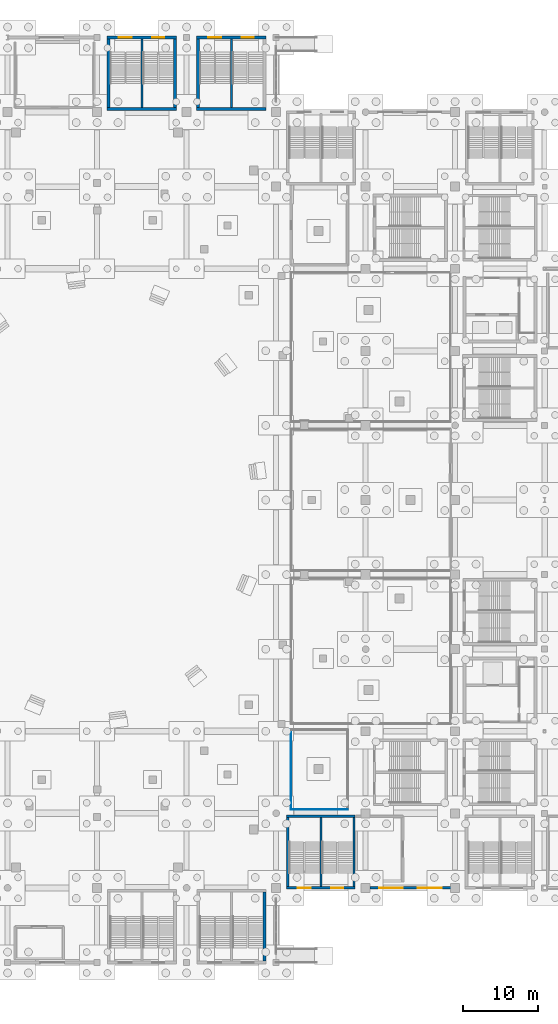
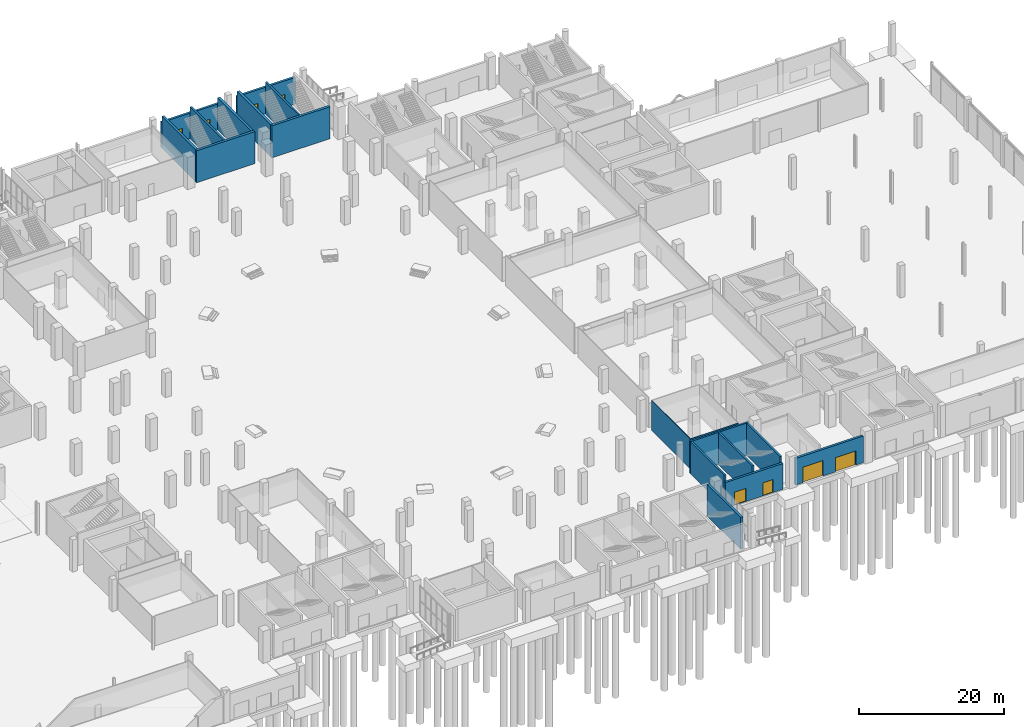
# One storey, part 53 of 70: 18 walls, 8 doors, 8 openings.
"""IFC4 building model written with IfcOpenShell, lengths in metres."""

import ifcopenshell
import ifcopenshell.guid

model = None  # the IFC model being written
_history = None  # IfcOwnerHistory: only IFC2X3 demands one
_inside = {}  # id of a spatial element -> (the spatial element, [elements in it])
_under = {}  # id of a project, library or spatial element -> (it, [spatial elements below it])
_declared = {}  # id of a project -> (the project, [libraries it declares])
_typed = {}  # id of a type object -> (the type object, [elements of that type])
_made_of = {}  # id of a material, layer set ... -> (it, [elements and type objects made of it])


def new_model(schema):
    """Start an empty IFC model of exactly this schema.

    Asked for "IFC4X3", IfcOpenShell would pick the latest addendum, in which some entities
    have other attributes; the version numbers below select the first issue.
    IFC2X3 requires an IfcOwnerHistory on every rooted entity: one is made here for all.
    """
    global model, _history
    if schema == "IFC4X3":
        model = ifcopenshell.file(schema_version=(4, 3, 0, 0))
    else:
        model = ifcopenshell.file(schema=schema)
    _inside.clear()
    _under.clear()
    _declared.clear()
    _typed.clear()
    _made_of.clear()
    _history = None
    if model.schema == "IFC2X3":
        org = make("IfcOrganization", Name="unknown")
        user = make(
            "IfcPersonAndOrganization",
            ThePerson=make("IfcPerson", FamilyName="unknown"),
            TheOrganization=org,
        )
        app = make(
            "IfcApplication",
            ApplicationDeveloper=org,
            Version="unknown",
            ApplicationFullName="unknown",
            ApplicationIdentifier="unknown",
        )
        _history = make(
            "IfcOwnerHistory",
            OwningUser=user,
            OwningApplication=app,
            ChangeAction="ADDED",
            CreationDate=0,
        )
    return model


def make(cls, **values):
    """One entity of the class cls with the attributes given. An attribute that is None is left unset."""
    return model.create_entity(
        cls, **{name: value for name, value in values.items() if value is not None}
    )


def rooted(cls, **values):
    """An entity with a GlobalId (a new one), such as an element, a storey or a relation."""
    return make(cls, GlobalId=ifcopenshell.guid.new(), OwnerHistory=_history, **values)


def si_unit(unit_type, name, prefix=None):
    """IfcSIUnit, for example si_unit("LENGTHUNIT", "METRE", prefix="MILLI")."""
    return make("IfcSIUnit", UnitType=unit_type, Prefix=prefix, Name=name)


def assignment(units):
    """IfcUnitAssignment: the units of a project."""
    return None if units is None else make("IfcUnitAssignment", Units=units)


def point(xyz):
    """IfcCartesianPoint."""
    return None if xyz is None else make("IfcCartesianPoint", Coordinates=xyz)


def direction(xyz):
    """IfcDirection."""
    return None if xyz is None else make("IfcDirection", DirectionRatios=xyz)


def frame(location, z_axis=None, x_axis=None):
    """IfcAxis2Placement3D, a coordinate frame: its origin and axes. An axis left out is left unset."""
    return make(
        "IfcAxis2Placement3D",
        Location=point(location),
        Axis=direction(z_axis),
        RefDirection=direction(x_axis),
    )


def frame_2d(location, x_axis=None):
    """IfcAxis2Placement2D, a coordinate frame in the plane: its origin and x axis."""
    return make(
        "IfcAxis2Placement2D", Location=point(location), RefDirection=direction(x_axis)
    )


def origin():
    """The frame at (0, 0, 0) with its axes left unset."""
    return frame((0.0, 0.0, 0.0))


def place(relative_to, where):
    """IfcLocalPlacement: puts the frame where relative to a parent placement (None: the world)."""
    return make(
        "IfcLocalPlacement", PlacementRelTo=relative_to, RelativePlacement=where
    )


def context(
    kind, dimensions, precision=None, world=None, true_north=None, identifier=None
):
    """IfcGeometricRepresentationContext, for example the 3D "Model" context."""
    return make(
        "IfcGeometricRepresentationContext",
        ContextIdentifier=identifier,
        ContextType=kind,
        CoordinateSpaceDimension=dimensions,
        Precision=precision,
        WorldCoordinateSystem=world,
        TrueNorth=true_north,
    )


def subcontext(parent, identifier, kind, view, scale=None):
    """IfcGeometricRepresentationSubContext, for example "Body" below "Model"."""
    return make(
        "IfcGeometricRepresentationSubContext",
        ContextIdentifier=identifier,
        ContextType=kind,
        ParentContext=parent,
        TargetScale=scale,
        TargetView=view,
    )


def project(units=None, contexts=None):
    """IfcProject with its units and contexts."""
    return rooted(
        "IfcProject",
        Name="project",
        RepresentationContexts=contexts,
        UnitsInContext=assignment(units),
    )


def spatial(cls, under=None, at=None, **own):
    """A site, building, storey or space (cls), placed at a placement, below another one or the project."""
    s = rooted(cls, ObjectPlacement=at, **own)
    if under is not None:
        _under.setdefault(under.id(), (under, []))[1].append(s)
    return s


def profile(cls, at=None, kind="AREA", **sizes):
    """A parametric profile (cls). Its sizes go by their IFC names, for example OverallWidth=200.0."""
    return make(cls, ProfileType=kind, Position=at, **sizes)


def rectangle(**sizes):
    """IfcRectangleProfileDef."""
    return profile("IfcRectangleProfileDef", **sizes)


def extrude(swept, where, along, depth):
    """IfcExtrudedAreaSolid: the profile swept, set in the frame where, extruded along a direction by depth."""
    return make(
        "IfcExtrudedAreaSolid",
        SweptArea=swept,
        Position=where,
        ExtrudedDirection=direction(along),
        Depth=depth,
    )


def shape(context_of_items, identifier, shape_type, items):
    """IfcShapeRepresentation: the items that make up one representation, for example the "Body"."""
    return make(
        "IfcShapeRepresentation",
        ContextOfItems=context_of_items,
        RepresentationIdentifier=identifier,
        RepresentationType=shape_type,
        Items=items,
    )


def material(Name=None, Category=None):
    """IfcMaterial."""
    return make("IfcMaterial", Name=Name, Category=Category)


def layer(
    of_material, thickness, ventilated=None, Name=None, Category=None, Priority=None
):
    """IfcMaterialLayer: one layer of a wall or slab, of a material (None: an air gap)."""
    return make(
        "IfcMaterialLayer",
        Material=of_material,
        LayerThickness=thickness,
        IsVentilated=ventilated,
        Name=Name,
        Category=Category,
        Priority=Priority,
    )


def layer_set(layers, Name=None):
    """IfcMaterialLayerSet."""
    return make("IfcMaterialLayerSet", MaterialLayers=layers, LayerSetName=Name)


def made_of(thing, what):
    """Note that an element or type object is made of a material, layer set ...; save() writes the relation."""
    if what is not None:
        _made_of.setdefault(what.id(), (what, []))[1].append(thing)
    return thing


def type_object(cls, material=None, **own):
    """A type object (cls), such as IfcWallType, which elements share."""
    return made_of(rooted(cls, **own), material)


def element(
    cls,
    number,
    at=None,
    inside=None,
    cuts=None,
    type_object=None,
    material=None,
    context=None,
    identifier="Body",
    shape_type=None,
    held_by="IfcProductDefinitionShape",
    body=None,
    shapes=None,
    **own,
):
    """One element of the class cls, such as IfcWall. Its Tag is "e" and its number.

    at: its placement. inside: the storey or other place that contains it. cuts: it is an
    opening in that element (IfcRelVoidsElement). A single representation is given by context,
    identifier, shape_type and body (its items); several are given by shapes. held_by: the class
    of the entity that holds the representations. save() writes the other relations.
    """
    e = rooted(cls, Tag="e%d" % number, ObjectPlacement=at, **own)
    if body is not None:
        shapes = [shape(context, identifier, shape_type, body)]
    if shapes is not None:
        e.Representation = make(held_by, Representations=shapes)
    if inside is not None:
        _inside.setdefault(inside.id(), (inside, []))[1].append(e)
    if cuts is not None:
        rooted(
            "IfcRelVoidsElement", RelatingBuildingElement=cuts, RelatedOpeningElement=e
        )
    if type_object is not None:
        _typed.setdefault(type_object.id(), (type_object, []))[1].append(e)
    return made_of(e, material)


def fill(opening, filler):
    """IfcRelFillsElement: the door or window that sits in an opening."""
    return rooted(
        "IfcRelFillsElement",
        RelatingOpeningElement=opening,
        RelatedBuildingElement=filler,
    )


def aggregate(whole, parts):
    """IfcRelAggregates: a whole, such as a stair, and the parts it consists of."""
    return rooted("IfcRelAggregates", RelatingObject=whole, RelatedObjects=parts)


def save(model, path):
    """Write the relations noted so far, then the file.

    IfcRelAggregates (storeys below a building ...), IfcRelContainedInSpatialStructure (elements
    in a storey), IfcRelDefinesByType, IfcRelAssociatesMaterial and IfcRelDeclares: one each for
    every whole, place, type object, material and project.
    """
    for whole, parts in _under.values():
        aggregate(whole, parts)
    for where, things in _inside.values():
        rooted(
            "IfcRelContainedInSpatialStructure",
            RelatedElements=things,
            RelatingStructure=where,
        )
    for kind, things in _typed.values():
        rooted("IfcRelDefinesByType", RelatedObjects=things, RelatingType=kind)
    for what, things in _made_of.values():
        rooted("IfcRelAssociatesMaterial", RelatedObjects=things, RelatingMaterial=what)
    for by, libraries in _declared.values():
        rooted("IfcRelDeclares", RelatingContext=by, RelatedDefinitions=libraries)
    model.write(path)


model = new_model("IFC4")

# Units and contexts
model_context = context("Model", 3, precision=1e-05, world=origin(), true_north=direction((0.0, 1.0)))
body_context = subcontext(model_context, "Body", "Model", "MODEL_VIEW")
ifc_project = project(units=[si_unit("LENGTHUNIT", "METRE"), si_unit("AREAUNIT", "SQUARE_METRE"), si_unit("VOLUMEUNIT", "CUBIC_METRE"), si_unit("PLANEANGLEUNIT", "RADIAN"), si_unit("MASSUNIT", "GRAM", prefix="KILO")], contexts=[model_context])

# Site, building, storey
site_placement = place(None, origin())
site = spatial("IfcSite", under=ifc_project, at=site_placement, CompositionType="ELEMENT")
building_placement = place(site_placement, origin())
building = spatial("IfcBuilding", under=site, at=building_placement, Name="Brinegate Civic Arena", CompositionType="ELEMENT")
storey_placement = place(building_placement, origin())
storey = spatial("IfcBuildingStorey", under=building, at=storey_placement, Name="L00", CompositionType="ELEMENT", Elevation=0.0)

# Walls
ifc_material_1 = material(Name="Concrete C50/60", Category="concrete")
ifc_layer_1 = layer(ifc_material_1, 0.35009765625, Name="Concrete C50/60")
ifc_layer_set_1 = layer_set([ifc_layer_1], Name="Concrete C50/60")
wall_type_1 = type_object("IfcWallType", Name="WALL-CORE-SHEAR-350", PredefinedType="SHEAR", material=ifc_layer_set_1)
wall_1_placement = place(storey_placement, frame((130.449951171875, 0.175048828125, 0.0), z_axis=(0.0, 0.0, 1.0), x_axis=(0.0, 1.0, 0.0)))
element("IfcWall", 1, at=wall_1_placement, inside=storey, type_object=wall_type_1, Name="Stair ST-04 East Shear Wall L00 (WBB-95)", PredefinedType="SHEAR", context=body_context, shape_type="SweptSolid", body=[
    extrude(rectangle(XDim=9.25, YDim=0.35009765625, at=frame_2d((4.625, 0.0))), origin(), (0.0, 0.0, 1.0), 5.39990234375),
])
ifc_layer_2 = layer(ifc_material_1, 0.389892578125, Name="Concrete C50/60")
ifc_layer_set_2 = layer_set([ifc_layer_2], Name="Concrete C50/60")
wall_type_2 = type_object("IfcWallType", Name="WALL-CORE-SHEAR-390", PredefinedType="SHEAR", material=ifc_layer_set_2)
wall_2_placement = place(storey_placement, frame((121.35498046875, 114.39990234375, 0.0), z_axis=(0.0, 0.0, 1.0), x_axis=(1.0, 0.0, 0.0)))
element("IfcWall", 2, at=wall_2_placement, inside=storey, type_object=wall_type_2, Name="Stair ST-03 South Shear Wall L00 (WBB-62)", PredefinedType="SHEAR", context=body_context, shape_type="SweptSolid", body=[
    extrude(rectangle(XDim=9.2900390625, YDim=0.389892578125, at=frame_2d((4.64501953125, 0.0))), origin(), (0.0, 0.0, 1.0), 5.39990234375),
])
wall_3_placement = place(storey_placement, frame((121.550048828125, 114.594970703125, 0.0), z_axis=(0.0, 0.0, 1.0), x_axis=(0.0, 1.0, 0.0)))
element("IfcWall", 3, at=wall_3_placement, inside=storey, type_object=wall_type_2, Name="Stair ST-03 West Shear Wall L00 (WBB-64)", PredefinedType="SHEAR", context=body_context, shape_type="SweptSolid", body=[
    extrude(rectangle(XDim=9.22998046875, YDim=0.389892578125, at=frame_2d((4.614990234375, 0.0))), origin(), (0.0, 0.0, 1.0), 5.39990234375),
])
wall_4_placement = place(storey_placement, frame((109.35498046875, 114.39990234375, 0.0), z_axis=(0.0, 0.0, 1.0), x_axis=(1.0, 0.0, 0.0)))
element("IfcWall", 4, at=wall_4_placement, inside=storey, type_object=wall_type_2, Name="Stair ST-15 South Shear Wall L00 (WBE-80)", PredefinedType="SHEAR", context=body_context, shape_type="SweptSolid", body=[
    extrude(rectangle(XDim=9.2900390625, YDim=0.389892578125, at=frame_2d((4.64501953125, 0.0))), origin(), (0.0, 0.0, 1.0), 5.39990234375),
])
for number, where, z_axis, x_axis, name in (
    (5, (109.550048828125, 114.594970703125, 0.0), (0.0, 0.0, 1.0), (0.0, 1.0, 0.0), "Stair ST-15 West Shear Wall L00 (WBE-82)"),
    (6, (118.449951171875, 114.594970703125, 0.0), (0.0, 0.0, 1.0), (0.0, 1.0, 0.0), "Stair ST-15 East Shear Wall L00 (WBE-83)"),
):
    element("IfcWall", number, at=place(storey_placement, frame(where, z_axis=z_axis, x_axis=x_axis)), inside=storey, type_object=wall_type_2, Name=name, PredefinedType="SHEAR", context=body_context, shape_type="SweptSolid", body=[
        extrude(rectangle(XDim=9.22998046875, YDim=0.389892578125, at=frame_2d((4.614990234375, 0.0))), origin(), (0.0, 0.0, 1.0), 5.39990234375),
    ])

# Wall, openings, doors
ifc_material_2 = material(Name="Precast concrete C45/55", Category="concrete")
ifc_layer_3 = layer(ifc_material_2, 0.360107421875, Name="Precast concrete C45/55")
ifc_layer_set_3 = layer_set([ifc_layer_3], Name="Precast concrete C45/55")
wall_type_3 = type_object("IfcWallType", Name="WALL-EXT-PRECAST-360", PredefinedType="SOLIDWALL", material=ifc_layer_set_3)
wall_5_placement = place(storey_placement, frame((144.5849609375, 10.0, 0.0), z_axis=(0.0, 0.0, 1.0), x_axis=(1.0, 0.0, 0.0)))
wall_5 = element("IfcWall", 7, at=wall_5_placement, inside=storey, type_object=wall_type_3, Name="L00 Perimeter Wall SB-3 (WBA-25)", PredefinedType="SOLIDWALL", context=body_context, shape_type="SweptSolid", body=[
    extrude(rectangle(XDim=10.830078125, YDim=0.360107421875, at=frame_2d((5.4150390625, 0.0))), origin(), (0.0, 0.0, 1.0), 4.49609375),
])
opening_1_placement = place(wall_5_placement, frame((1.216064453125, 0.0, 0.0)))
opening_1 = element("IfcOpeningElement", 8, at=opening_1_placement, cuts=wall_5, Name="Opening E-06", PredefinedType="OPENING", context=body_context, shape_type="SweptSolid", body=[
    extrude(rectangle(XDim=3.199951171875, YDim=2.60009765625, at=frame_2d((1.60009765625, 1.300048828125))), frame((0.0, 0.18994140625, 0.0), z_axis=(0.0, -1.0, 0.0), x_axis=(1.0, 0.0, 0.0)), (0.0, 0.0, 1.0), 0.380126953125),
])
opening_2_placement = place(wall_5_placement, frame((6.4140625, 0.0, 0.0)))
opening_2 = element("IfcOpeningElement", 9, at=opening_2_placement, cuts=wall_5, Name="Opening E-07", PredefinedType="OPENING", context=body_context, shape_type="SweptSolid", body=[
    extrude(rectangle(XDim=3.199951171875, YDim=2.39990234375, at=frame_2d((1.60009765625, 1.199951171875))), frame((0.0, 0.18994140625, 0.0), z_axis=(0.0, -1.0, 0.0), x_axis=(1.0, 0.0, 0.0)), (0.0, 0.0, 1.0), 0.380126953125),
])
ifc_material_3 = material(Name="Marine grade aluminium", Category="aluminium")
door_type_1 = type_object("IfcDoorType", Name="DOOR-FINAL-EXIT-3200X2400", OperationType="NOTDEFINED", PredefinedType="DOOR", material=ifc_material_3)
door_1_placement = place(opening_2_placement, frame((3.199951171875, 0.0, 0.0), z_axis=(0.0, 0.0, 1.0), x_axis=(-1.0, 0.0, 0.0)))
door_1 = element("IfcDoor", 10, at=door_1_placement, inside=storey, type_object=door_type_1, Name="Main Pedestrian Final Exit Door E-07", OperationType="DOUBLE_DOOR_SINGLE_SWING", OverallHeight=2.39990234375, OverallWidth=3.199951171875, PredefinedType="DOOR", context=body_context, shape_type="SweptSolid", body=[
    extrude(rectangle(XDim=3.199951171875, YDim=2.39990234375, at=frame_2d((1.60009765625, 1.199951171875))), frame((0.0, 0.02490234375, 0.0), z_axis=(0.0, -1.0, 0.0), x_axis=(1.0, 0.0, 0.0)), (0.0, 0.0, 1.0), 0.050048828125),
])
fill(opening_2, door_1)
door_type_2 = type_object("IfcDoorType", Name="DOOR-FINAL-EXIT-3200X2600", OperationType="NOTDEFINED", PredefinedType="DOOR", material=ifc_material_3)
door_2_placement = place(opening_1_placement, frame((3.199951171875, 0.0, 0.0), z_axis=(0.0, 0.0, 1.0), x_axis=(-1.0, 0.0, 0.0)))
door_2 = element("IfcDoor", 11, at=door_2_placement, inside=storey, type_object=door_type_2, Name="Main Pedestrian Final Exit Door E-06", OperationType="DOUBLE_DOOR_SINGLE_SWING", OverallHeight=2.60009765625, OverallWidth=3.199951171875, PredefinedType="DOOR", context=body_context, shape_type="SweptSolid", body=[
    extrude(rectangle(XDim=3.199951171875, YDim=2.60009765625, at=frame_2d((1.60009765625, 1.300048828125))), frame((0.0, 0.02490234375, 0.0), z_axis=(0.0, -1.0, 0.0), x_axis=(1.0, 0.0, 0.0)), (0.0, 0.0, 1.0), 0.050048828125),
])
fill(opening_1, door_2)

ifc_layer_4 = layer(ifc_material_1, 0.35009765625, Name="Concrete C50/60")
ifc_layer_set_4 = layer_set([ifc_layer_4], Name="Concrete C50/60")
wall_type_4 = type_object("IfcWallType", Name="WALL-EXT-STAIR-SHEAR-350", PredefinedType="SHEAR", material=ifc_layer_set_4)
wall_6_placement = place(storey_placement, frame((121.35498046875, 124.0, 0.0), z_axis=(0.0, 0.0, 1.0), x_axis=(1.0, 0.0, 0.0)))
wall_6 = element("IfcWall", 12, at=wall_6_placement, inside=storey, type_object=wall_type_4, Name="Stair ST-03 North Shear Wall L00 (WBB-63)", PredefinedType="SHEAR", context=body_context, shape_type="SweptSolid", body=[
    extrude(rectangle(XDim=9.2900390625, YDim=0.35009765625, at=frame_2d((4.64501953125, 0.0))), origin(), (0.0, 0.0, 1.0), 4.49609375),
])
opening_3_placement = place(wall_6_placement, frame((1.52001953125, 0.0, 0.0)))
opening_3 = element("IfcOpeningElement", 13, at=opening_3_placement, cuts=wall_6, Name="Opening E-ST03A", PredefinedType="OPENING", context=body_context, shape_type="SweptSolid", body=[
    extrude(rectangle(XDim=1.800048828125, YDim=2.199951171875, at=frame_2d((0.89990234375, 1.10009765625))), frame((0.0, 0.18505859375, 0.0), z_axis=(0.0, -1.0, 0.0), x_axis=(1.0, 0.0, 0.0)), (0.0, 0.0, 1.0), 0.3701171875),
])
opening_4_placement = place(wall_6_placement, frame((6.070068359375, 0.0, 0.0)))
opening_4 = element("IfcOpeningElement", 14, at=opening_4_placement, cuts=wall_6, Name="Opening E-ST03B", PredefinedType="OPENING", context=body_context, shape_type="SweptSolid", body=[
    extrude(rectangle(XDim=1.60009765625, YDim=2.199951171875, at=frame_2d((0.800048828125, 1.10009765625))), frame((0.0, 0.18505859375, 0.0), z_axis=(0.0, -1.0, 0.0), x_axis=(1.0, 0.0, 0.0)), (0.0, 0.0, 1.0), 0.3701171875),
])
door_type_3 = type_object("IfcDoorType", Name="DOOR-LOGGIA-1600X2200", OperationType="NOTDEFINED", PredefinedType="DOOR", material=ifc_material_3)
door_3_placement = place(opening_4_placement, origin())
door_3 = element("IfcDoor", 15, at=door_3_placement, inside=storey, type_object=door_type_3, Name="Stair Final Exit Discharge Door E-ST03B", OperationType="DOUBLE_DOOR_SINGLE_SWING", OverallHeight=2.199951171875, OverallWidth=1.60009765625, PredefinedType="DOOR", context=body_context, shape_type="SweptSolid", body=[
    extrude(rectangle(XDim=1.60009765625, YDim=2.199951171875, at=frame_2d((0.800048828125, 1.10009765625))), frame((0.0, 0.02490234375, 0.0), z_axis=(0.0, -1.0, 0.0), x_axis=(1.0, 0.0, 0.0)), (0.0, 0.0, 1.0), 0.050048828125),
])
fill(opening_4, door_3)
door_type_4 = type_object("IfcDoorType", Name="DOOR-LOGGIA-1800X2200", OperationType="NOTDEFINED", PredefinedType="DOOR", material=ifc_material_3)
door_4_placement = place(opening_3_placement, origin())
door_4 = element("IfcDoor", 16, at=door_4_placement, inside=storey, type_object=door_type_4, Name="Stair Final Exit Discharge Door E-ST03A", OperationType="DOUBLE_DOOR_SINGLE_SWING", OverallHeight=2.199951171875, OverallWidth=1.800048828125, PredefinedType="DOOR", context=body_context, shape_type="SweptSolid", body=[
    extrude(rectangle(XDim=1.800048828125, YDim=2.199951171875, at=frame_2d((0.89990234375, 1.10009765625))), frame((0.0, 0.02490234375, 0.0), z_axis=(0.0, -1.0, 0.0), x_axis=(1.0, 0.0, 0.0)), (0.0, 0.0, 1.0), 0.050048828125),
])
fill(opening_3, door_4)

wall_7_placement = place(storey_placement, frame((133.405029296875, 10.0, 0.0), z_axis=(0.0, 0.0, 1.0), x_axis=(1.0, 0.0, 0.0)))
wall_7 = element("IfcWall", 17, at=wall_7_placement, inside=storey, type_object=wall_type_4, Name="Stair ST-14 South Shear Wall L00 (WBE-55)", PredefinedType="SHEAR", context=body_context, shape_type="SweptSolid", body=[
    extrude(rectangle(XDim=9.18994140625, YDim=0.35009765625, at=frame_2d((4.594970703125, 0.0))), origin(), (0.0, 0.0, 1.0), 4.346923828125),
])
opening_5_placement = place(wall_7_placement, frame((1.469970703125, 0.0, 0.0)))
opening_5 = element("IfcOpeningElement", 18, at=opening_5_placement, cuts=wall_7, Name="Opening E-ST14A", PredefinedType="OPENING", context=body_context, shape_type="SweptSolid", body=[
    extrude(rectangle(XDim=1.800048828125, YDim=2.199951171875, at=frame_2d((0.89990234375, 1.10009765625))), frame((0.0, 0.18505859375, 0.0), z_axis=(0.0, -1.0, 0.0), x_axis=(1.0, 0.0, 0.0)), (0.0, 0.0, 1.0), 0.3701171875),
])
opening_6_placement = place(wall_7_placement, frame((6.02001953125, 0.0, 0.0)))
opening_6 = element("IfcOpeningElement", 19, at=opening_6_placement, cuts=wall_7, Name="Opening E-ST14B", PredefinedType="OPENING", context=body_context, shape_type="SweptSolid", body=[
    extrude(rectangle(XDim=1.60009765625, YDim=2.199951171875, at=frame_2d((0.800048828125, 1.10009765625))), frame((0.0, 0.18505859375, 0.0), z_axis=(0.0, -1.0, 0.0), x_axis=(1.0, 0.0, 0.0)), (0.0, 0.0, 1.0), 0.3701171875),
])
door_5_placement = place(opening_6_placement, frame((1.60009765625, 0.0, 0.0), z_axis=(0.0, 0.0, 1.0), x_axis=(-1.0, 0.0, 0.0)))
door_5 = element("IfcDoor", 20, at=door_5_placement, inside=storey, type_object=door_type_3, Name="Stair Final Exit Discharge Door E-ST14B", OperationType="DOUBLE_DOOR_SINGLE_SWING", OverallHeight=2.199951171875, OverallWidth=1.60009765625, PredefinedType="DOOR", context=body_context, shape_type="SweptSolid", body=[
    extrude(rectangle(XDim=1.60009765625, YDim=2.199951171875, at=frame_2d((0.800048828125, 1.10009765625))), frame((0.0, 0.02490234375, 0.0), z_axis=(0.0, -1.0, 0.0), x_axis=(1.0, 0.0, 0.0)), (0.0, 0.0, 1.0), 0.050048828125),
])
fill(opening_6, door_5)
door_6_placement = place(opening_5_placement, frame((1.800048828125, 0.0, 0.0), z_axis=(0.0, 0.0, 1.0), x_axis=(-1.0, 0.0, 0.0)))
door_6 = element("IfcDoor", 21, at=door_6_placement, inside=storey, type_object=door_type_4, Name="Stair Final Exit Discharge Door E-ST14A", OperationType="DOUBLE_DOOR_SINGLE_SWING", OverallHeight=2.199951171875, OverallWidth=1.800048828125, PredefinedType="DOOR", context=body_context, shape_type="SweptSolid", body=[
    extrude(rectangle(XDim=1.800048828125, YDim=2.199951171875, at=frame_2d((0.89990234375, 1.10009765625))), frame((0.0, 0.02490234375, 0.0), z_axis=(0.0, -1.0, 0.0), x_axis=(1.0, 0.0, 0.0)), (0.0, 0.0, 1.0), 0.050048828125),
])
fill(opening_5, door_6)

wall_8_placement = place(storey_placement, frame((109.35498046875, 124.0, 0.0), z_axis=(0.0, 0.0, 1.0), x_axis=(1.0, 0.0, 0.0)))
wall_8 = element("IfcWall", 22, at=wall_8_placement, inside=storey, type_object=wall_type_4, Name="Stair ST-15 North Shear Wall L00 (WBE-81)", PredefinedType="SHEAR", context=body_context, shape_type="SweptSolid", body=[
    extrude(rectangle(XDim=9.2900390625, YDim=0.35009765625, at=frame_2d((4.64501953125, 0.0))), origin(), (0.0, 0.0, 1.0), 4.346923828125),
])
opening_7_placement = place(wall_8_placement, frame((1.52001953125, 0.0, 0.0)))
opening_7 = element("IfcOpeningElement", 23, at=opening_7_placement, cuts=wall_8, Name="Opening E-ST15A", PredefinedType="OPENING", context=body_context, shape_type="SweptSolid", body=[
    extrude(rectangle(XDim=1.800048828125, YDim=2.199951171875, at=frame_2d((0.89990234375, 1.10009765625))), frame((0.0, 0.18505859375, 0.0), z_axis=(0.0, -1.0, 0.0), x_axis=(1.0, 0.0, 0.0)), (0.0, 0.0, 1.0), 0.3701171875),
])
opening_8_placement = place(wall_8_placement, frame((6.070068359375, 0.0, 0.0)))
opening_8 = element("IfcOpeningElement", 24, at=opening_8_placement, cuts=wall_8, Name="Opening E-ST15B", PredefinedType="OPENING", context=body_context, shape_type="SweptSolid", body=[
    extrude(rectangle(XDim=1.60009765625, YDim=2.199951171875, at=frame_2d((0.800048828125, 1.10009765625))), frame((0.0, 0.18505859375, 0.0), z_axis=(0.0, -1.0, 0.0), x_axis=(1.0, 0.0, 0.0)), (0.0, 0.0, 1.0), 0.3701171875),
])
door_7_placement = place(opening_8_placement, origin())
door_7 = element("IfcDoor", 25, at=door_7_placement, inside=storey, type_object=door_type_3, Name="Stair Final Exit Discharge Door E-ST15B", OperationType="DOUBLE_DOOR_SINGLE_SWING", OverallHeight=2.199951171875, OverallWidth=1.60009765625, PredefinedType="DOOR", context=body_context, shape_type="SweptSolid", body=[
    extrude(rectangle(XDim=1.60009765625, YDim=2.199951171875, at=frame_2d((0.800048828125, 1.10009765625))), frame((0.0, 0.02490234375, 0.0), z_axis=(0.0, -1.0, 0.0), x_axis=(1.0, 0.0, 0.0)), (0.0, 0.0, 1.0), 0.050048828125),
])
fill(opening_8, door_7)
door_8_placement = place(opening_7_placement, origin())
door_8 = element("IfcDoor", 26, at=door_8_placement, inside=storey, type_object=door_type_4, Name="Stair Final Exit Discharge Door E-ST15A", OperationType="DOUBLE_DOOR_SINGLE_SWING", OverallHeight=2.199951171875, OverallWidth=1.800048828125, PredefinedType="DOOR", context=body_context, shape_type="SweptSolid", body=[
    extrude(rectangle(XDim=1.800048828125, YDim=2.199951171875, at=frame_2d((0.89990234375, 1.10009765625))), frame((0.0, 0.02490234375, 0.0), z_axis=(0.0, -1.0, 0.0), x_axis=(1.0, 0.0, 0.0)), (0.0, 0.0, 1.0), 0.050048828125),
])
fill(opening_7, door_8)

# Walls
ifc_material_4 = material(Name="Concrete blockwork masonry", Category="masonry")
ifc_layer_5 = layer(ifc_material_4, 0.10009765625, Name="Concrete blockwork masonry")
ifc_layer_set_5 = layer_set([ifc_layer_5], Name="Concrete blockwork masonry")
wall_type_5 = type_object("IfcWallType", Name="WALL-PART-WET-100", PredefinedType="PARTITIONING", material=ifc_layer_set_5)
wall_9_placement = place(storey_placement, frame((141.60009765625, 20.5, 0.0), z_axis=(0.0, 0.0, 1.0), x_axis=(-1.0, 0.0, 0.0)))
element("IfcWall", 27, at=wall_9_placement, inside=storey, type_object=wall_type_5, Name="Star Performer Dressing Suites Partition Wall E2 (WBI-33)", PredefinedType="PARTITIONING", context=body_context, shape_type="SweptSolid", body=[
    extrude(rectangle(XDim=7.60009765625, YDim=0.10009765625, at=frame_2d((3.800048828125, 0.0))), origin(), (0.0, 0.0, 1.0), 5.06005859375),
])
wall_10_placement = place(storey_placement, frame((134.0, 20.5, 0.0), z_axis=(0.0, 0.0, 1.0), x_axis=(0.0, 1.0, 0.0)))
element("IfcWall", 28, at=wall_10_placement, inside=storey, type_object=wall_type_5, Name="Star Performer Dressing Suites Partition Wall E3 (WBI-34)", PredefinedType="PARTITIONING", context=body_context, shape_type="SweptSolid", body=[
    extrude(rectangle(XDim=10.699951171875, YDim=0.10009765625, at=frame_2d((5.35009765625, 0.0))), origin(), (0.0, 0.0, 1.0), 5.06005859375),
])
ifc_layer_6 = layer(ifc_material_1, 0.2900390625, Name="Concrete C50/60")
ifc_layer_set_6 = layer_set([ifc_layer_6], Name="Concrete C50/60")
wall_type_6 = type_object("IfcWallType", Name="WALL-STAIR-SHEAR-290", PredefinedType="SHEAR", material=ifc_layer_set_6)
wall_11_placement = place(storey_placement, frame((126.0, 114.594970703125, 0.0), z_axis=(0.0, 0.0, 1.0), x_axis=(0.0, 1.0, 0.0)))
element("IfcWall", 29, at=wall_11_placement, inside=storey, type_object=wall_type_6, Name="Stair ST-03 Central Dividing Shear Wall L00 (WBB-66)", PredefinedType="SHEAR", context=body_context, shape_type="SweptSolid", body=[
    extrude(rectangle(XDim=9.22998046875, YDim=0.2900390625, at=frame_2d((4.614990234375, 0.0))), origin(), (0.0, 0.0, 1.0), 5.39990234375),
])
wall_12_placement = place(storey_placement, frame((133.405029296875, 19.60009765625, 0.0), z_axis=(0.0, 0.0, 1.0), x_axis=(1.0, 0.0, 0.0)))
element("IfcWall", 30, at=wall_12_placement, inside=storey, type_object=wall_type_6, Name="Stair ST-14 North Shear Wall L00 (WBE-56)", PredefinedType="SHEAR", context=body_context, shape_type="SweptSolid", body=[
    extrude(rectangle(XDim=9.18994140625, YDim=0.2900390625, at=frame_2d((4.594970703125, 0.0))), origin(), (0.0, 0.0, 1.0), 5.39990234375),
])
for number, where, z_axis, x_axis, name in (
    (31, (133.550048828125, 10.175048828125, 0.0), (0.0, 0.0, 1.0), (0.0, 1.0, 0.0), "Stair ST-14 West Shear Wall L00 (WBE-57)"),
    (32, (142.449951171875, 10.175048828125, 0.0), (0.0, 0.0, 1.0), (0.0, 1.0, 0.0), "Stair ST-14 East Shear Wall L00 (WBE-58)"),
    (33, (138.0, 10.175048828125, 0.0), (0.0, 0.0, 1.0), (0.0, 1.0, 0.0), "Stair ST-14 Central Dividing Shear Wall L00 (WBE-59)"),
):
    element("IfcWall", number, at=place(storey_placement, frame(where, z_axis=z_axis, x_axis=x_axis)), inside=storey, type_object=wall_type_6, Name=name, PredefinedType="SHEAR", context=body_context, shape_type="SweptSolid", body=[
        extrude(rectangle(XDim=9.280029296875, YDim=0.2900390625, at=frame_2d((4.64013671875, 0.0))), origin(), (0.0, 0.0, 1.0), 5.39990234375),
    ])
wall_13_placement = place(storey_placement, frame((114.0, 114.594970703125, 0.0), z_axis=(0.0, 0.0, 1.0), x_axis=(0.0, 1.0, 0.0)))
element("IfcWall", 34, at=wall_13_placement, inside=storey, type_object=wall_type_6, Name="Stair ST-15 Central Dividing Shear Wall L00 (WBE-84)", PredefinedType="SHEAR", context=body_context, shape_type="SweptSolid", body=[
    extrude(rectangle(XDim=9.22998046875, YDim=0.2900390625, at=frame_2d((4.614990234375, 0.0))), origin(), (0.0, 0.0, 1.0), 5.39990234375),
])

save(model, "model.ifc")
